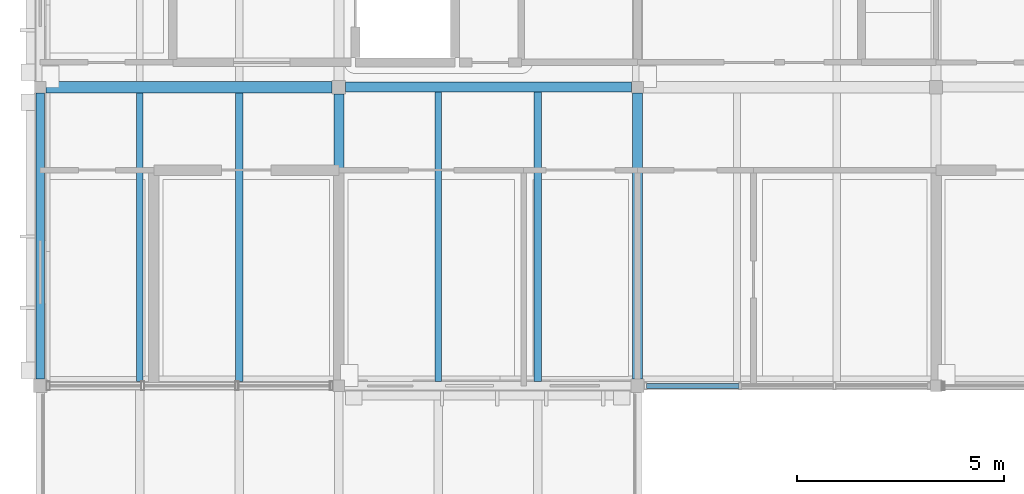
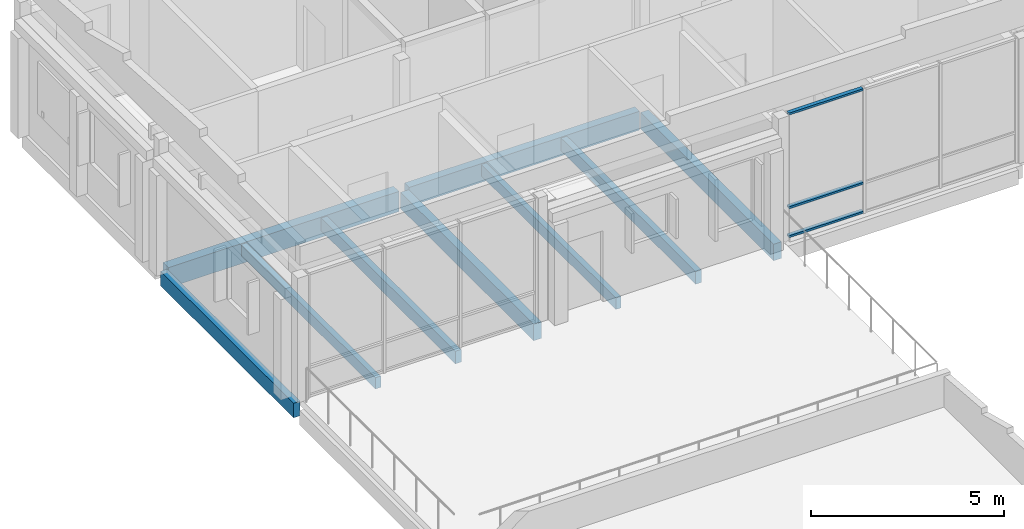
# One storey, part 8 of 32: 9 beams, 3 members, 1 element without a shape of its own.
"""IFC4 building model written with IfcOpenShell, lengths in metres."""

from ifc_helpers import new_model, si_unit, direction, frame, origin, origin_2d, place, context, subcontext, project, spatial, rectangle, hollow_rectangle, extrude, material, material_profile, profile_set, type_object, element, aggregate, save


model = new_model("IFC4")

# Units and contexts
model_context = context("Model", 3, precision=1e-05, world=origin(), true_north=direction((0.0, 1.0)))
body_context = subcontext(model_context, "Body", "Model", "MODEL_VIEW")
ifc_project = project(units=[si_unit("LENGTHUNIT", "METRE"), si_unit("AREAUNIT", "SQUARE_METRE"), si_unit("VOLUMEUNIT", "CUBIC_METRE"), si_unit("PLANEANGLEUNIT", "RADIAN"), si_unit("MASSUNIT", "GRAM", prefix="KILO")], contexts=[model_context])

# Site, building, storey
site_placement = place(None, origin())
site = spatial("IfcSite", under=ifc_project, at=site_placement, CompositionType="ELEMENT")
building_placement = place(site_placement, origin())
building = spatial("IfcBuilding", under=site, at=building_placement, Name="Hawrajan Terrace Health Centre", CompositionType="ELEMENT")
storey_placement = place(building_placement, frame((0.0, 0.0, 17.39990234375)))
storey = spatial("IfcBuildingStorey", under=building, at=storey_placement, Name="L04", CompositionType="ELEMENT", Elevation=17.39990234375)

# Curtain wall, members
ifc_material_1 = material(Name="Anodized bronze aluminium and low-E solar glazing", Category="aluminium")
curtain_wall_type = type_object("IfcCurtainWallType", Name="CW_Court_SeriesB3", PredefinedType="USERDEFINED", material=ifc_material_1)
curtain_wall_placement = place(storey_placement, origin())
curtain_wall = element("IfcCurtainWall", 1, at=curtain_wall_placement, inside=storey, type_object=curtain_wall_type, Name="Curtain wall CW-L04-174", ObjectType="UNITISED CURTAIN WALL", PredefinedType="USERDEFINED")
ifc_material_2 = material(Name="Anodized bronze aluminium 6063-T6", Category="aluminium")
ifc_material_profile_1 = material_profile(ifc_material_2, hollow_rectangle(XDim=0.06494140625, YDim=0.1201171875, WallThickness=0.00341796875, at=origin_2d()), Name="CW TRN 65x120")
ifc_profile_set_1 = profile_set([ifc_material_profile_1], Name="Anodized bronze aluminium 6063-T6")
member_type = type_object("IfcMemberType", Name="CWTransom_65x120", PredefinedType="USERDEFINED", material=ifc_profile_set_1)
member_1_placement = place(storey_placement, frame((19.218994140625, 45.39990234375, 0.03271484375), z_axis=(1.0, 0.0, 0.0), x_axis=(0.0, 0.0, 1.0)))
member_1 = element("IfcMember", 2, at=member_1_placement, type_object=member_type, Name="Transom CW-L04-174-T1-1", ObjectType="TRANSOM", PredefinedType="USERDEFINED", context=body_context, shape_type="SweptSolid", body=[
    extrude(hollow_rectangle(XDim=0.06494140625, YDim=0.1201171875, WallThickness=0.00341796875, at=origin_2d()), origin(), (0.0, 0.0, 1.0), 2.225341796875),
])
member_2_placement = place(storey_placement, frame((19.218994140625, 45.39990234375, 0.9501953125), z_axis=(1.0, 0.0, 0.0), x_axis=(0.0, 0.0, 1.0)))
member_2 = element("IfcMember", 3, at=member_2_placement, type_object=member_type, Name="Transom CW-L04-174-T1-2", ObjectType="TRANSOM", PredefinedType="USERDEFINED", context=body_context, shape_type="SweptSolid", body=[
    extrude(hollow_rectangle(XDim=0.06494140625, YDim=0.1201171875, WallThickness=0.00341796875, at=origin_2d()), origin(), (0.0, 0.0, 1.0), 2.225341796875),
])
member_3_placement = place(storey_placement, frame((19.218994140625, 45.39990234375, 3.91748046875), z_axis=(1.0, 0.0, 0.0), x_axis=(0.0, 0.0, 1.0)))
member_3 = element("IfcMember", 4, at=member_3_placement, type_object=member_type, Name="Transom CW-L04-174-T1-3", ObjectType="TRANSOM", PredefinedType="USERDEFINED", context=body_context, shape_type="SweptSolid", body=[
    extrude(hollow_rectangle(XDim=0.06494140625, YDim=0.1201171875, WallThickness=0.00341796875, at=origin_2d()), origin(), (0.0, 0.0, 1.0), 2.225341796875),
])
aggregate(curtain_wall, [member_1, member_2, member_3])

# Beams
ifc_material_3 = material(Name="Glulam GL32h", Category="wood")
ifc_material_profile_2 = material_profile(ifc_material_3, rectangle(XDim=0.239990234375, YDim=0.52001953125, at=origin_2d()), Name="GL BM 240x520")
ifc_profile_set_2 = profile_set([ifc_material_profile_2], Name="Glulam GL32h")
beam_type_1 = type_object("IfcBeamType", Name="GlulamGirder_240x520", PredefinedType="BEAM", material=ifc_profile_set_2)
for number, where, z_axis, x_axis, name in (
    (5, (11.800048828125, 45.5400390625, -0.47998046875), (0.0, 1.0, 0.0), (-1.0, 0.0, 0.0), "Beam BM-Y-L04-W-X02-6"),
    (6, (19.0, 45.56005859375, -0.47998046875), (0.0, 1.0, 0.0), (-1.0, 0.0, 0.0), "Beam BM-Y-L04-W-X03-6"),
):
    element("IfcBeam", number, at=place(storey_placement, frame(where, z_axis=z_axis, x_axis=x_axis)), inside=storey, type_object=beam_type_1, Name=name, PredefinedType="BEAM", context=body_context, shape_type="SweptSolid", body=[
        extrude(rectangle(XDim=0.239990234375, YDim=0.52001953125, at=origin_2d()), origin(), (0.0, 0.0, 1.0), 6.89990234375),
    ])
ifc_material_profile_3 = material_profile(ifc_material_3, rectangle(XDim=0.239990234375, YDim=0.60009765625, at=origin_2d()), Name="GL BM 240x600")
ifc_profile_set_3 = profile_set([ifc_material_profile_3], Name="Glulam GL32h")
beam_type_2 = type_object("IfcBeamType", Name="GlulamGirder_240x600", PredefinedType="BEAM", material=ifc_profile_set_3)
beam_1_placement = place(storey_placement, frame((11.9599609375, 52.60009765625, -0.489990234375), z_axis=(1.0, 0.0, 0.0), x_axis=(0.0, 1.0, 0.0)))
element("IfcBeam", 7, at=beam_1_placement, inside=storey, type_object=beam_type_2, Name="Beam BM-X-L04-W-02-Y7", PredefinedType="BEAM", context=body_context, shape_type="SweptSolid", body=[
    extrude(rectangle(XDim=0.239990234375, YDim=0.60009765625, at=origin_2d()), origin(), (0.0, 0.0, 1.0), 6.900146484375),
])
ifc_material_profile_4 = material_profile(ifc_material_3, rectangle(XDim=0.280029296875, YDim=0.639892578125, at=origin_2d()), Name="GL BM 280x640")
ifc_profile_set_4 = profile_set([ifc_material_profile_4], Name="Glulam GL32h")
beam_type_3 = type_object("IfcBeamType", Name="GlulamGirder_280x640", PredefinedType="BEAM", material=ifc_profile_set_4)
beam_2_placement = place(storey_placement, frame((4.739990234375, 52.60009765625, -0.510009765625), z_axis=(1.0, 0.0, 0.0), x_axis=(0.0, 1.0, 0.0)))
element("IfcBeam", 8, at=beam_2_placement, inside=storey, type_object=beam_type_3, Name="Beam BM-X-L04-W-01-Y7", PredefinedType="BEAM", context=body_context, shape_type="SweptSolid", body=[
    extrude(rectangle(XDim=0.280029296875, YDim=0.639892578125, at=origin_2d()), origin(), (0.0, 0.0, 1.0), 6.89990234375),
])
ifc_material_4 = material(Name="Glulam GL28h", Category="wood")
ifc_material_profile_5 = material_profile(ifc_material_4, rectangle(XDim=0.159912109375, YDim=0.360107421875, at=origin_2d()), Name="GL JST 160x360")
ifc_profile_set_5 = profile_set([ifc_material_profile_5], Name="Glulam GL28h")
beam_type_4 = type_object("IfcBeamType", Name="GlulamJoist_160x360", PredefinedType="JOIST", material=ifc_profile_set_5)
beam_3_placement = place(storey_placement, frame((7.0, 45.5, -0.39990234375), z_axis=(0.0, 1.0, 0.0), x_axis=(-1.0, 0.0, 0.0)))
element("IfcBeam", 9, at=beam_3_placement, inside=storey, type_object=beam_type_4, Name="Secondary joist JST-L04-W-01-6-1", PredefinedType="JOIST", context=body_context, shape_type="SweptSolid", body=[
    extrude(rectangle(XDim=0.159912109375, YDim=0.360107421875, at=origin_2d()), origin(), (0.0, 0.0, 1.0), 6.9599609375),
])
beam_4_placement = place(storey_placement, frame((14.199951171875, 45.5, -0.39990234375), z_axis=(0.0, 1.0, 0.0), x_axis=(-1.0, 0.0, 0.0)))
element("IfcBeam", 10, at=beam_4_placement, inside=storey, type_object=beam_type_4, Name="Secondary joist JST-L04-W-02-6-1", PredefinedType="JOIST", context=body_context, shape_type="SweptSolid", body=[
    extrude(rectangle(XDim=0.159912109375, YDim=0.360107421875, at=origin_2d()), origin(), (0.0, 0.0, 1.0), 6.97998046875),
])
ifc_material_profile_6 = material_profile(ifc_material_4, rectangle(XDim=0.179931640625, YDim=0.39990234375, at=origin_2d()), Name="GL JST 180x400")
ifc_profile_set_6 = profile_set([ifc_material_profile_6], Name="Glulam GL28h")
beam_type_5 = type_object("IfcBeamType", Name="GlulamJoist_180x400", PredefinedType="JOIST", material=ifc_profile_set_6)
beam_5_placement = place(storey_placement, frame((9.39990234375, 45.5, -0.419921875), z_axis=(0.0, 1.0, 0.0), x_axis=(-1.0, 0.0, 0.0)))
element("IfcBeam", 11, at=beam_5_placement, inside=storey, type_object=beam_type_5, Name="Secondary joist JST-L04-W-01-6-2", PredefinedType="JOIST", context=body_context, shape_type="SweptSolid", body=[
    extrude(rectangle(XDim=0.179931640625, YDim=0.39990234375, at=origin_2d()), origin(), (0.0, 0.0, 1.0), 6.9599609375),
])
beam_6_placement = place(storey_placement, frame((16.60009765625, 45.5, -0.419921875), z_axis=(0.0, 1.0, 0.0), x_axis=(-1.0, 0.0, 0.0)))
element("IfcBeam", 12, at=beam_6_placement, inside=storey, type_object=beam_type_5, Name="Secondary joist JST-L04-W-02-6-2", PredefinedType="JOIST", context=body_context, shape_type="SweptSolid", body=[
    extrude(rectangle(XDim=0.179931640625, YDim=0.39990234375, at=origin_2d()), origin(), (0.0, 0.0, 1.0), 6.97998046875),
])
ifc_material_profile_7 = material_profile(ifc_material_3, rectangle(XDim=0.199951171875, YDim=0.4599609375, at=origin_2d()), Name="GL SP 200x460")
ifc_profile_set_7 = profile_set([ifc_material_profile_7], Name="Glulam GL32h")
beam_type_6 = type_object("IfcBeamType", Name="GlulamSpandrel_200x460", PredefinedType="SPANDREL", material=ifc_profile_set_7)
beam_7_placement = place(storey_placement, frame((4.60009765625, 45.56005859375, -0.449951171875), z_axis=(0.0, 1.0, 0.0), x_axis=(-1.0, 0.0, 0.0)))
element("IfcBeam", 13, at=beam_7_placement, inside=storey, type_object=beam_type_6, Name="Beam BM-Y-L04-W-X01-6", PredefinedType="SPANDREL", context=body_context, shape_type="SweptSolid", body=[
    extrude(rectangle(XDim=0.199951171875, YDim=0.4599609375, at=origin_2d()), origin(), (0.0, 0.0, 1.0), 6.89990234375),
])

save(model, "model.ifc")
